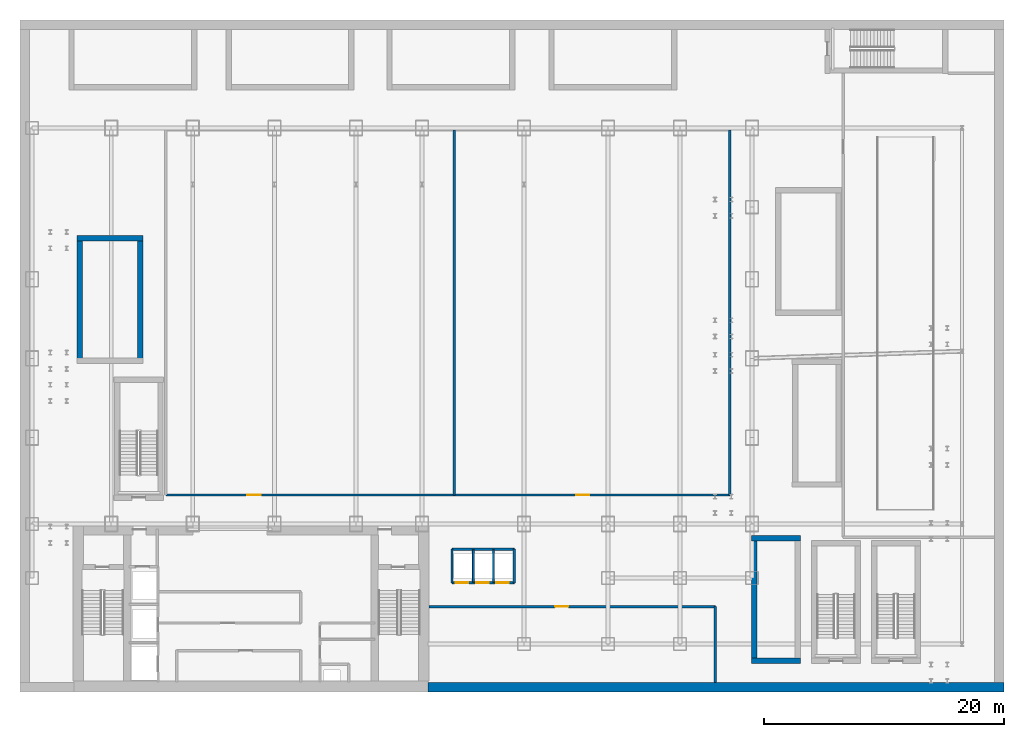
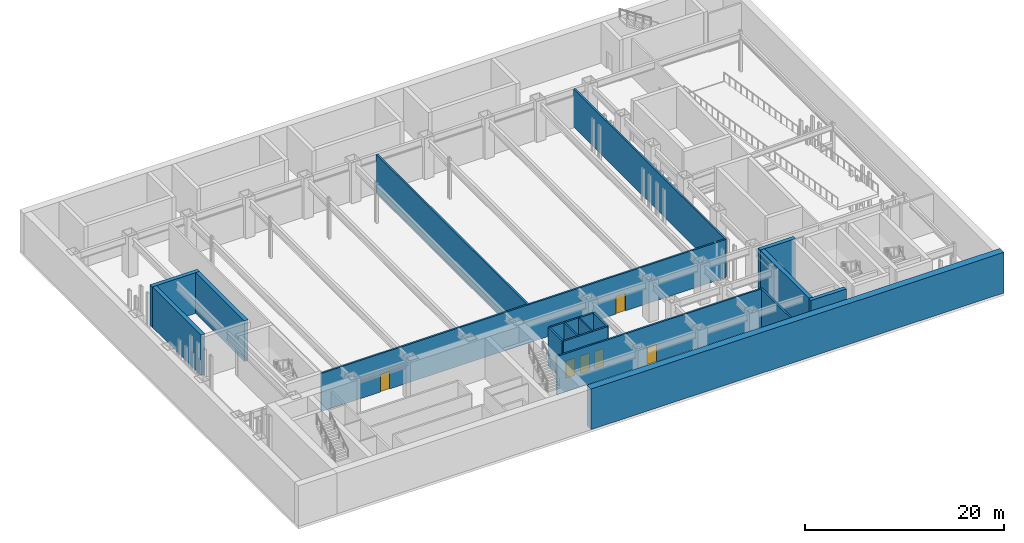
# One storey, part 10 of 16: 18 walls, 6 doors, 6 openings.
"""IFC4 building model written with IfcOpenShell, lengths in metres."""

from ifc_helpers import new_model, si_unit, derived_unit, direction, frame, frame_2d, origin, place, context, subcontext, project, spatial, rectangle, extrude, source, transform, mapped, material, layer, layer_set, type_object, element, fill, save


model = new_model("IFC4")

# Units and contexts
model_context = context("Model", 3, precision=1e-05, world=origin(), true_north=direction((0.0, 1.0)))
body_context = subcontext(model_context, "Body", "Model", "MODEL_VIEW")
ifc_project = project(units=[si_unit("LENGTHUNIT", "METRE"), si_unit("AREAUNIT", "SQUARE_METRE"), si_unit("VOLUMEUNIT", "CUBIC_METRE"), si_unit("PLANEANGLEUNIT", "RADIAN"), si_unit("MASSUNIT", "GRAM", prefix="KILO"), derived_unit("THERMALTRANSMITTANCEUNIT", [(si_unit("POWERUNIT", "WATT"), 1), (si_unit("LENGTHUNIT", "METRE"), -2), (si_unit("THERMODYNAMICTEMPERATUREUNIT", "KELVIN"), -1)])], contexts=[model_context])

# Site, building, storey
site_placement = place(None, origin())
site = spatial("IfcSite", under=ifc_project, at=site_placement, CompositionType="ELEMENT")
building_placement = place(site_placement, origin())
building = spatial("IfcBuilding", under=site, at=building_placement, Name="Skarnbrae Concourse Arena and Tower", CompositionType="ELEMENT")
storey_placement = place(building_placement, frame((0.0, 0.0, -5.0)))
storey = spatial("IfcBuildingStorey", under=building, at=storey_placement, Name="B01", CompositionType="ELEMENT", Elevation=-5.0)

# Walls
ifc_material_1 = material(Name="Concrete 50 MPa (C50/60)", Category="concrete")
ifc_layer_1 = layer(ifc_material_1, 0.800048828125)
ifc_layer_set_1 = layer_set([ifc_layer_1], Name="Concrete 50 MPa (C50/60)")
wall_type_1 = type_object("IfcWallType", Name="WALL-RETAINING-800", PredefinedType="USERDEFINED", material=ifc_layer_set_1)
shared_shape_1 = source(origin(), body_context, "Body", "SweptSolid", [
    extrude(rectangle(XDim=48.0, YDim=0.800048828125, at=frame_2d((24.0, 0.0))), origin(), (0.0, 0.0, 1.0), 5.0),
])
wall_1_placement = place(storey_placement, frame((34.0, 0.39990234375, 0.0), z_axis=(0.0, 0.0, 1.0), x_axis=(1.0, 0.0, 0.0)))
element("IfcWall", 1, at=wall_1_placement, inside=storey, type_object=wall_type_1, Name="B01 Basement retaining wall RW-SE", ObjectType="RETAINING WALL", PredefinedType="USERDEFINED", context=body_context, shape_type="MappedRepresentation", body=[
    mapped(shared_shape_1, transform((0.0, 0.0, 0.0))),
])
ifc_layer_2 = layer(ifc_material_1, 0.449951171875)
ifc_layer_set_2 = layer_set([ifc_layer_2], Name="Concrete 50 MPa (C50/60)")
wall_type_2 = type_object("IfcWallType", Name="WALL-CORE-450-C50", PredefinedType="SHEAR", material=ifc_layer_set_2)
shared_shape_2 = source(origin(), body_context, "Body", "SweptSolid", [
    extrude(rectangle(XDim=4.10009765625, YDim=0.449951171875, at=frame_2d((2.050048828125, 0.0))), origin(), (0.0, 0.0, 1.0), 5.0),
])
for number, where, z_axis, x_axis, name in (
    (2, (60.949951171875, 2.594970703125, 0.0), (0.0, 0.0, 1.0), (1.0, 0.0, 0.0), "B01 Protected stair shaft wall ST-A1-S"),
    (3, (60.949951171875, 12.804931640625, 0.0), (0.0, 0.0, 1.0), (1.0, 0.0, 0.0), "B01 Protected stair shaft wall ST-A1-N"),
):
    element("IfcWall", number, at=place(storey_placement, frame(where, z_axis=z_axis, x_axis=x_axis)), inside=storey, type_object=wall_type_2, Name=name, PredefinedType="SHEAR", context=body_context, shape_type="MappedRepresentation", body=[
        mapped(shared_shape_2, transform((0.0, 0.0, 0.0))),
    ])
shared_shape_3 = source(origin(), body_context, "Body", "SweptSolid", [
    extrude(rectangle(XDim=9.800048828125, YDim=0.449951171875, at=frame_2d((4.89990234375, 0.0))), origin(), (0.0, 0.0, 1.0), 5.0),
])
for number, where, z_axis, x_axis, name in (
    (4, (61.195068359375, 2.800048828125, 0.0), (0.0, 0.0, 1.0), (0.0, 1.0, 0.0), "B01 Protected stair shaft wall ST-A1-W"),
    (5, (4.9951171875, 27.800048828125, 0.0), (0.0, 0.0, 1.0), (0.0, 1.0, 0.0), "B01 Protected stair shaft wall ST-A3-W"),
    (6, (10.0048828125, 27.800048828125, 0.0), (0.0, 0.0, 1.0), (0.0, 1.0, 0.0), "B01 Protected stair shaft wall ST-A3-E"),
):
    element("IfcWall", number, at=place(storey_placement, frame(where, z_axis=z_axis, x_axis=x_axis)), inside=storey, type_object=wall_type_2, Name=name, PredefinedType="SHEAR", context=body_context, shape_type="MappedRepresentation", body=[
        mapped(shared_shape_3, transform((0.0, 0.0, 0.0))),
    ])
shared_shape_4 = source(origin(), body_context, "Body", "SweptSolid", [
    extrude(rectangle(XDim=5.5, YDim=0.449951171875, at=frame_2d((2.75, 0.0))), origin(), (0.0, 0.0, 1.0), 5.0),
])
wall_2_placement = place(storey_placement, frame((4.75, 37.804931640625, 0.0), z_axis=(0.0, 0.0, 1.0), x_axis=(1.0, 0.0, 0.0)))
element("IfcWall", 7, at=wall_2_placement, inside=storey, type_object=wall_type_2, Name="B01 Protected stair shaft wall ST-A3-N", PredefinedType="SHEAR", context=body_context, shape_type="MappedRepresentation", body=[
    mapped(shared_shape_4, transform((0.0, 0.0, 0.0))),
])

# Wall, openings, doors
ifc_material_2 = material(Name="Gypsum board on cold-formed steel studs", Category="steel")
ifc_layer_3 = layer(ifc_material_2, 0.199951171875)
ifc_layer_set_3 = layer_set([ifc_layer_3], Name="Gypsum board on cold-formed steel studs")
wall_type_3 = type_object("IfcWallType", Name="WALL-PART-200-2HR", PredefinedType="PARTITIONING", material=ifc_layer_set_3)
shared_shape_5 = source(origin(), body_context, "Body", "SweptSolid", [
    extrude(rectangle(XDim=5.199951171875, YDim=0.199951171875, at=frame_2d((2.60009765625, 0.0))), origin(), (0.0, 0.0, 1.0), 4.699951171875),
])
wall_3_placement = place(storey_placement, frame((36.0, 9.10009765625, 0.0), z_axis=(0.0, 0.0, 1.0), x_axis=(1.0, 0.0, 0.0)))
wall_3 = element("IfcWall", 8, at=wall_3_placement, inside=storey, type_object=wall_type_3, Name="B01 Interior partition wall W-B01-PLP-S", PredefinedType="PARTITIONING", context=body_context, shape_type="MappedRepresentation", body=[
    mapped(shared_shape_5, transform((0.0, 0.0, 0.0))),
])
opening_1_placement = place(wall_3_placement, frame((0.320068359375, 0.0, 0.0)))
opening_1 = element("IfcOpeningElement", 9, at=opening_1_placement, cuts=wall_3, Name="Opening LD-03", PredefinedType="OPENING", context=body_context, shape_type="SweptSolid", body=[
    extrude(rectangle(XDim=1.050048828125, YDim=2.14990234375, at=frame_2d((0.52490234375, 1.074951171875))), frame((0.0, 0.10986328125, 0.0), z_axis=(0.0, -1.0, 0.0), x_axis=(1.0, 0.0, 0.0)), (0.0, 0.0, 1.0), 0.219970703125),
])
opening_2_placement = place(wall_3_placement, frame((2.0, 0.0, 0.0)))
opening_2 = element("IfcOpeningElement", 10, at=opening_2_placement, cuts=wall_3, Name="Opening LD-03", PredefinedType="OPENING", context=body_context, shape_type="SweptSolid", body=[
    extrude(rectangle(XDim=1.050048828125, YDim=2.14990234375, at=frame_2d((0.52490234375, 1.074951171875))), frame((0.0, 0.10986328125, 0.0), z_axis=(0.0, -1.0, 0.0), x_axis=(1.0, 0.0, 0.0)), (0.0, 0.0, 1.0), 0.219970703125),
])
opening_3_placement = place(wall_3_placement, frame((3.679931640625, 0.0, 0.0)))
opening_3 = element("IfcOpeningElement", 11, at=opening_3_placement, cuts=wall_3, Name="Opening LD-03", PredefinedType="OPENING", context=body_context, shape_type="SweptSolid", body=[
    extrude(rectangle(XDim=1.050048828125, YDim=2.14990234375, at=frame_2d((0.52490234375, 1.074951171875))), frame((0.0, 0.10986328125, 0.0), z_axis=(0.0, -1.0, 0.0), x_axis=(1.0, 0.0, 0.0)), (0.0, 0.0, 1.0), 0.219970703125),
])
ifc_material_3 = material(Name="Bronze anodised aluminium 6063-T6", Category="aluminium")
door_type_1 = type_object("IfcDoorType", Name="DOOR-LIFT-SLIDE-1050", OperationType="SLIDING_TO_LEFT", PredefinedType="DOOR", material=ifc_material_3)
shared_shape_6 = source(origin(), body_context, "Body", "SweptSolid", [
    extrude(rectangle(XDim=1.050048828125, YDim=2.14990234375, at=frame_2d((0.52490234375, 1.074951171875))), frame((0.0, 0.02490234375, 0.0), z_axis=(0.0, -1.0, 0.0), x_axis=(1.0, 0.0, 0.0)), (0.0, 0.0, 1.0), 0.050048828125),
])
door_1_placement = place(opening_1_placement, frame((1.050048828125, 0.0, 0.0), z_axis=(0.0, 0.0, 1.0), x_axis=(-1.0, 0.0, 0.0)))
door_1 = element("IfcDoor", 12, at=door_1_placement, inside=storey, type_object=door_type_1, Name="D-0134 Transit Lift Landing Door PL-P1", OperationType="SLIDING_TO_LEFT", OverallHeight=2.14990234375, OverallWidth=1.050048828125, PredefinedType="DOOR", context=body_context, shape_type="MappedRepresentation", body=[
    mapped(shared_shape_6, transform((0.0, 0.0, 0.0))),
])
fill(opening_1, door_1)
door_2_placement = place(opening_2_placement, frame((1.050048828125, 0.0, 0.0), z_axis=(0.0, 0.0, 1.0), x_axis=(-1.0, 0.0, 0.0)))
door_2 = element("IfcDoor", 13, at=door_2_placement, inside=storey, type_object=door_type_1, Name="D-0135 Transit Lift Landing Door PL-P2", OperationType="SLIDING_TO_LEFT", OverallHeight=2.14990234375, OverallWidth=1.050048828125, PredefinedType="DOOR", context=body_context, shape_type="MappedRepresentation", body=[
    mapped(shared_shape_6, transform((0.0, 0.0, 0.0))),
])
fill(opening_2, door_2)
door_3_placement = place(opening_3_placement, frame((1.050048828125, 0.0, 0.0), z_axis=(0.0, 0.0, 1.0), x_axis=(-1.0, 0.0, 0.0)))
door_3 = element("IfcDoor", 14, at=door_3_placement, inside=storey, type_object=door_type_1, Name="D-0136 Transit Lift Landing Door PL-P3", OperationType="SLIDING_TO_LEFT", OverallHeight=2.14990234375, OverallWidth=1.050048828125, PredefinedType="DOOR", context=body_context, shape_type="MappedRepresentation", body=[
    mapped(shared_shape_6, transform((0.0, 0.0, 0.0))),
])
fill(opening_3, door_3)

# Walls
wall_4_placement = place(storey_placement, frame((36.0, 11.89990234375, 0.0), z_axis=(0.0, 0.0, 1.0), x_axis=(1.0, 0.0, 0.0)))
element("IfcWall", 15, at=wall_4_placement, inside=storey, type_object=wall_type_3, Name="B01 Interior partition wall W-B01-PLP-N", PredefinedType="PARTITIONING", context=body_context, shape_type="MappedRepresentation", body=[
    mapped(shared_shape_5, transform((0.0, 0.0, 0.0))),
])
shared_shape_7 = source(origin(), body_context, "Body", "SweptSolid", [
    extrude(rectangle(XDim=2.7998046875, YDim=0.199951171875, at=frame_2d((1.39990234375, 0.0))), origin(), (0.0, 0.0, 1.0), 4.699951171875),
])
for number, where, z_axis, x_axis, name in (
    (16, (36.0, 9.10009765625, 0.0), (0.0, 0.0, 1.0), (0.0, 1.0, 0.0), "B01 Interior partition wall W-B01-PLP-W"),
    (17, (41.199951171875, 9.10009765625, 0.0), (0.0, 0.0, 1.0), (0.0, 1.0, 0.0), "B01 Interior partition wall W-B01-PLP-E"),
):
    element("IfcWall", number, at=place(storey_placement, frame(where, z_axis=z_axis, x_axis=x_axis)), inside=storey, type_object=wall_type_3, Name=name, PredefinedType="PARTITIONING", context=body_context, shape_type="MappedRepresentation", body=[
        mapped(shared_shape_7, transform((0.0, 0.0, 0.0))),
    ])
ifc_layer_4 = layer(ifc_material_2, 0.14990234375)
ifc_layer_set_4 = layer_set([ifc_layer_4], Name="Gypsum board on cold-formed steel studs")
wall_type_4 = type_object("IfcWallType", Name="WALL-PART-150", PredefinedType="PARTITIONING", material=ifc_layer_set_4)
shared_shape_8 = source(origin(), body_context, "Body", "SweptSolid", [
    extrude(rectangle(XDim=2.7001953125, YDim=0.14990234375, at=frame_2d((1.35009765625, 0.0))), origin(), (0.0, 0.0, 1.0), 4.699951171875),
])
for number, where, z_axis, x_axis, name in (
    (18, (37.780029296875, 9.14990234375, 0.0), (0.0, 0.0, 1.0), (0.0, 1.0, 0.0), "B01 Interior partition wall W-B01-PLP-D1"),
    (19, (39.4599609375, 9.14990234375, 0.0), (0.0, 0.0, 1.0), (0.0, 1.0, 0.0), "B01 Interior partition wall W-B01-PLP-D2"),
):
    element("IfcWall", number, at=place(storey_placement, frame(where, z_axis=z_axis, x_axis=x_axis)), inside=storey, type_object=wall_type_4, Name=name, PredefinedType="PARTITIONING", context=body_context, shape_type="MappedRepresentation", body=[
        mapped(shared_shape_8, transform((0.0, 0.0, 0.0))),
    ])

# Wall, openings, doors
shared_shape_9 = source(origin(), body_context, "Body", "SweptSolid", [
    extrude(rectangle(XDim=47.0, YDim=0.199951171875, at=frame_2d((23.5, 0.0))), origin(), (0.0, 0.0, 1.0), 4.699951171875),
])
wall_5_placement = place(storey_placement, frame((12.14990234375, 16.419921875, 0.0), z_axis=(0.0, 0.0, 1.0), x_axis=(1.0, 0.0, 0.0)))
wall_5 = element("IfcWall", 20, at=wall_5_placement, inside=storey, type_object=wall_type_3, Name="B01 Interior partition wall W-B01-BC-N", PredefinedType="PARTITIONING", context=body_context, shape_type="MappedRepresentation", body=[
    mapped(shared_shape_9, transform((0.0, 0.0, 0.0))),
])
opening_4_placement = place(wall_5_placement, frame((6.800048828125, 0.0, 0.0)))
opening_4 = element("IfcOpeningElement", 21, at=opening_4_placement, cuts=wall_5, Name="Opening DT-03", PredefinedType="OPENING", context=body_context, shape_type="SweptSolid", body=[
    extrude(rectangle(XDim=1.10009765625, YDim=2.14990234375, at=frame_2d((0.550048828125, 1.074951171875))), frame((0.0, 0.10986328125, 0.0), z_axis=(0.0, -1.0, 0.0), x_axis=(1.0, 0.0, 0.0)), (0.0, 0.0, 1.0), 0.219970703125),
])
opening_5_placement = place(wall_5_placement, frame((34.199951171875, 0.0, 0.0)))
opening_5 = element("IfcOpeningElement", 22, at=opening_5_placement, cuts=wall_5, Name="Opening DT-03", PredefinedType="OPENING", context=body_context, shape_type="SweptSolid", body=[
    extrude(rectangle(XDim=1.10009765625, YDim=2.14990234375, at=frame_2d((0.550048828125, 1.074951171875))), frame((0.0, 0.10986328125, 0.0), z_axis=(0.0, -1.0, 0.0), x_axis=(1.0, 0.0, 0.0)), (0.0, 0.0, 1.0), 0.219970703125),
])
ifc_material_4 = material(Name="Steel CSA G40.21 350W", Category="steel")
door_type_2 = type_object("IfcDoorType", Name="DOOR-FIRE-1100-90M", OperationType="NOTDEFINED", PredefinedType="DOOR", material=ifc_material_4)
shared_shape_10 = source(origin(), body_context, "Body", "SweptSolid", [
    extrude(rectangle(XDim=1.10009765625, YDim=2.14990234375, at=frame_2d((0.550048828125, 1.074951171875))), frame((0.0, 0.02490234375, 0.0), z_axis=(0.0, -1.0, 0.0), x_axis=(1.0, 0.0, 0.0)), (0.0, 0.0, 1.0), 0.050048828125),
])
door_4_placement = place(opening_4_placement, origin())
door_4 = element("IfcDoor", 23, at=door_4_placement, inside=storey, type_object=door_type_2, Name="D-0137 Basement Plant Door", OperationType="SINGLE_SWING_LEFT", OverallHeight=2.14990234375, OverallWidth=1.10009765625, PredefinedType="DOOR", context=body_context, shape_type="MappedRepresentation", body=[
    mapped(shared_shape_10, transform((0.0, 0.0, 0.0))),
])
fill(opening_4, door_4)
door_5_placement = place(opening_5_placement, origin())
door_5 = element("IfcDoor", 24, at=door_5_placement, inside=storey, type_object=door_type_2, Name="D-0138 Marshalling Hall Door", OperationType="SINGLE_SWING_RIGHT", OverallHeight=2.14990234375, OverallWidth=1.10009765625, PredefinedType="DOOR", context=body_context, shape_type="MappedRepresentation", body=[
    mapped(shared_shape_10, transform((0.0, 0.0, 0.0))),
])
fill(opening_5, door_5)

# Walls
shared_shape_11 = source(origin(), body_context, "Body", "SweptSolid", [
    extrude(rectangle(XDim=30.43017578125, YDim=0.199951171875, at=frame_2d((15.215087890625, 0.0))), origin(), (0.0, 0.0, 1.0), 4.699951171875),
])
for number, where, z_axis, x_axis, name in (
    (25, (59.14990234375, 16.419921875, 0.0), (0.0, 0.0, 1.0), (0.0, 1.0, 0.0), "B01 Interior partition wall W-B01-BC-E"),
    (26, (36.199951171875, 16.419921875, 0.0), (0.0, 0.0, 1.0), (0.0, 1.0, 0.0), "B01 Interior partition wall W-B01-BMID"),
):
    element("IfcWall", number, at=place(storey_placement, frame(where, z_axis=z_axis, x_axis=x_axis)), inside=storey, type_object=wall_type_3, Name=name, PredefinedType="PARTITIONING", context=body_context, shape_type="MappedRepresentation", body=[
        mapped(shared_shape_11, transform((0.0, 0.0, 0.0))),
    ])

# Wall, opening, door
shared_shape_12 = source(origin(), body_context, "Body", "SweptSolid", [
    extrude(rectangle(XDim=23.849853515625, YDim=0.199951171875, at=frame_2d((11.9248046875, 0.0))), origin(), (0.0, 0.0, 1.0), 4.699951171875),
])
wall_6_placement = place(storey_placement, frame((34.10009765625, 7.1201171875, 0.0), z_axis=(0.0, 0.0, 1.0), x_axis=(1.0, 0.0, 0.0)))
wall_6 = element("IfcWall", 27, at=wall_6_placement, inside=storey, type_object=wall_type_3, Name="B01 Interior partition wall W-B01-BBOH-N", PredefinedType="PARTITIONING", context=body_context, shape_type="MappedRepresentation", body=[
    mapped(shared_shape_12, transform((0.0, 0.0, 0.0))),
])
opening_6_placement = place(wall_6_placement, frame((10.5, 0.0, 0.0)))
opening_6 = element("IfcOpeningElement", 28, at=opening_6_placement, cuts=wall_6, Name="Opening DT-03", PredefinedType="OPENING", context=body_context, shape_type="SweptSolid", body=[
    extrude(rectangle(XDim=1.10009765625, YDim=2.14990234375, at=frame_2d((0.550048828125, 1.074951171875))), frame((0.0, 0.10986328125, 0.0), z_axis=(0.0, -1.0, 0.0), x_axis=(1.0, 0.0, 0.0)), (0.0, 0.0, 1.0), 0.219970703125),
])
door_6_placement = place(opening_6_placement, frame((1.10009765625, 0.0, 0.0), z_axis=(0.0, 0.0, 1.0), x_axis=(-1.0, 0.0, 0.0)))
door_6 = element("IfcDoor", 29, at=door_6_placement, inside=storey, type_object=door_type_2, Name="D-0139 BOH Support Door", OperationType="SINGLE_SWING_LEFT", OverallHeight=2.14990234375, OverallWidth=1.10009765625, PredefinedType="DOOR", context=body_context, shape_type="MappedRepresentation", body=[
    mapped(shared_shape_10, transform((0.0, 0.0, 0.0))),
])
fill(opening_6, door_6)

# Wall
shared_shape_13 = source(origin(), body_context, "Body", "SweptSolid", [
    extrude(rectangle(XDim=6.320068359375, YDim=0.199951171875, at=frame_2d((3.16015625, 0.0))), origin(), (0.0, 0.0, 1.0), 4.699951171875),
])
wall_7_placement = place(storey_placement, frame((57.949951171875, 0.800048828125, 0.0), z_axis=(0.0, 0.0, 1.0), x_axis=(0.0, 1.0, 0.0)))
element("IfcWall", 30, at=wall_7_placement, inside=storey, type_object=wall_type_3, Name="B01 Interior partition wall W-B01-BBOH-E", PredefinedType="PARTITIONING", context=body_context, shape_type="MappedRepresentation", body=[
    mapped(shared_shape_13, transform((0.0, 0.0, 0.0))),
])

save(model, "model.ifc")
